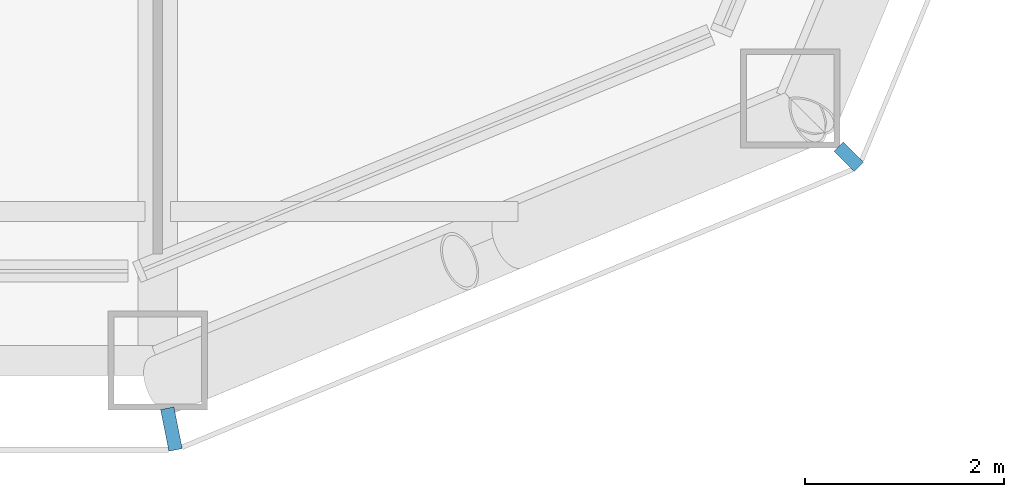
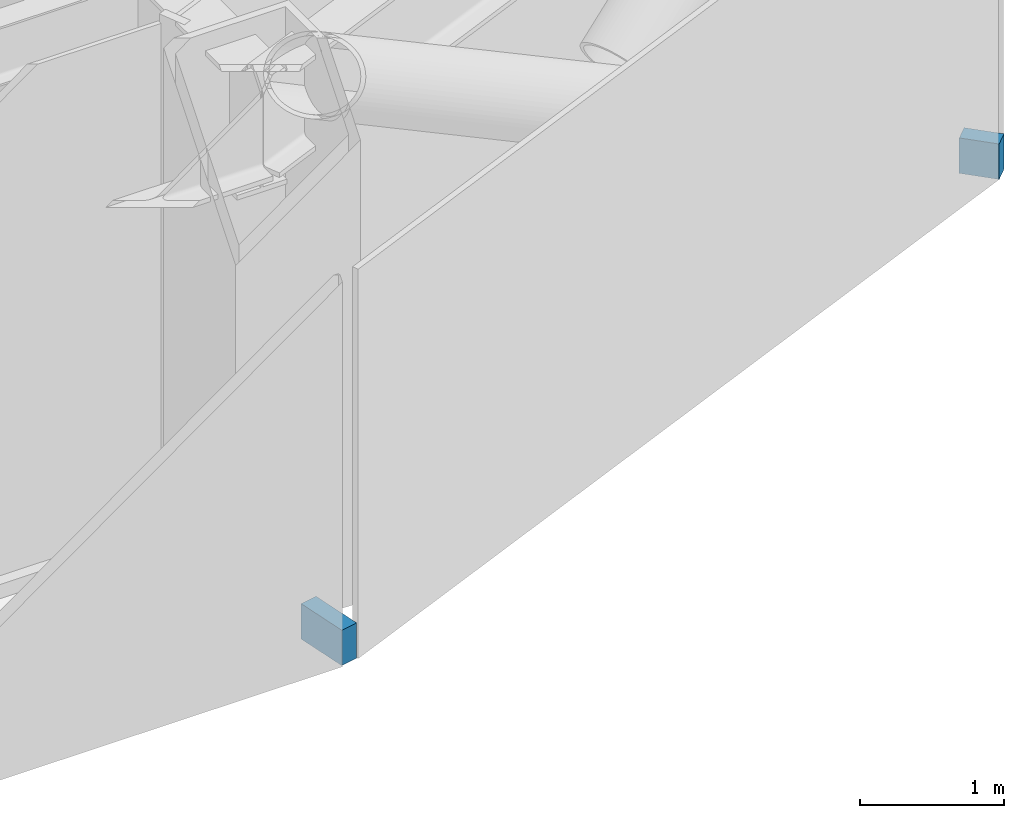
# One storey, part 17 of 28: 2 discrete accessories.
"""IFC4 building model written with IfcOpenShell, lengths in metres."""

from ifc_helpers import new_model, si_unit, direction, frame, origin, origin_2d, place, context, subcontext, project, spatial, rectangle, extrude, material, type_object, element, save


model = new_model("IFC4")

# Units and contexts
model_context = context("Model", 3, precision=1e-05, world=origin(), true_north=direction((0.0, 1.0)))
body_context = subcontext(model_context, "Body", "Model", "MODEL_VIEW")
ifc_project = project(units=[si_unit("LENGTHUNIT", "METRE"), si_unit("AREAUNIT", "SQUARE_METRE"), si_unit("VOLUMEUNIT", "CUBIC_METRE"), si_unit("PLANEANGLEUNIT", "RADIAN"), si_unit("MASSUNIT", "GRAM", prefix="KILO")], contexts=[model_context])

# Site, building, storey
site_placement = place(None, origin())
site = spatial("IfcSite", under=ifc_project, at=site_placement, CompositionType="ELEMENT")
building_placement = place(site_placement, origin())
building = spatial("IfcBuilding", under=site, at=building_placement, Name="Siwar Civic Tower", CompositionType="ELEMENT")
storey_placement = place(building_placement, frame((0.0, 0.0, 85.199951171875)))
storey = spatial("IfcBuildingStorey", under=building, at=storey_placement, Name="L18", CompositionType="ELEMENT", Elevation=85.199951171875)

# Discrete accessories
ifc_material = material(Name="Stainless steel 316", Category="steel")
discrete_accessory_type = type_object("IfcDiscreteAccessoryType", Name="ENV-BRACKET", PredefinedType="BRACKET", material=ifc_material)
discrete_accessory_1_placement = place(storey_placement, frame((22.63720703125, -32.190185546875, -0.14990234375), z_axis=(0.0, 0.0, 1.0), x_axis=(0.195090322016, -0.980785280403, 0.0)))
element("IfcDiscreteAccessory", 1, at=discrete_accessory_1_placement, inside=storey, type_object=discrete_accessory_type, Name="Bracket outer skin joint V01", PredefinedType="BRACKET", context=body_context, shape_type="SweptSolid", body=[
    extrude(rectangle(XDim=0.427734375, YDim=0.13720703125, at=origin_2d()), origin(), (0.0, 0.0, 1.0), 0.300048828125),
])
discrete_accessory_2_placement = place(storey_placement, frame((29.451416015625, -29.451416015625, -0.14990234375), z_axis=(0.0, 0.0, 1.0), x_axis=(0.707106781187, -0.707106781187, 0.0)))
element("IfcDiscreteAccessory", 2, at=discrete_accessory_2_placement, inside=storey, type_object=discrete_accessory_type, Name="Bracket outer skin joint V02", PredefinedType="BRACKET", context=body_context, shape_type="SweptSolid", body=[
    extrude(rectangle(XDim=0.287109375, YDim=0.12939453125, at=origin_2d()), origin(), (0.0, 0.0, 1.0), 0.300048828125),
])

save(model, "model.ifc")
